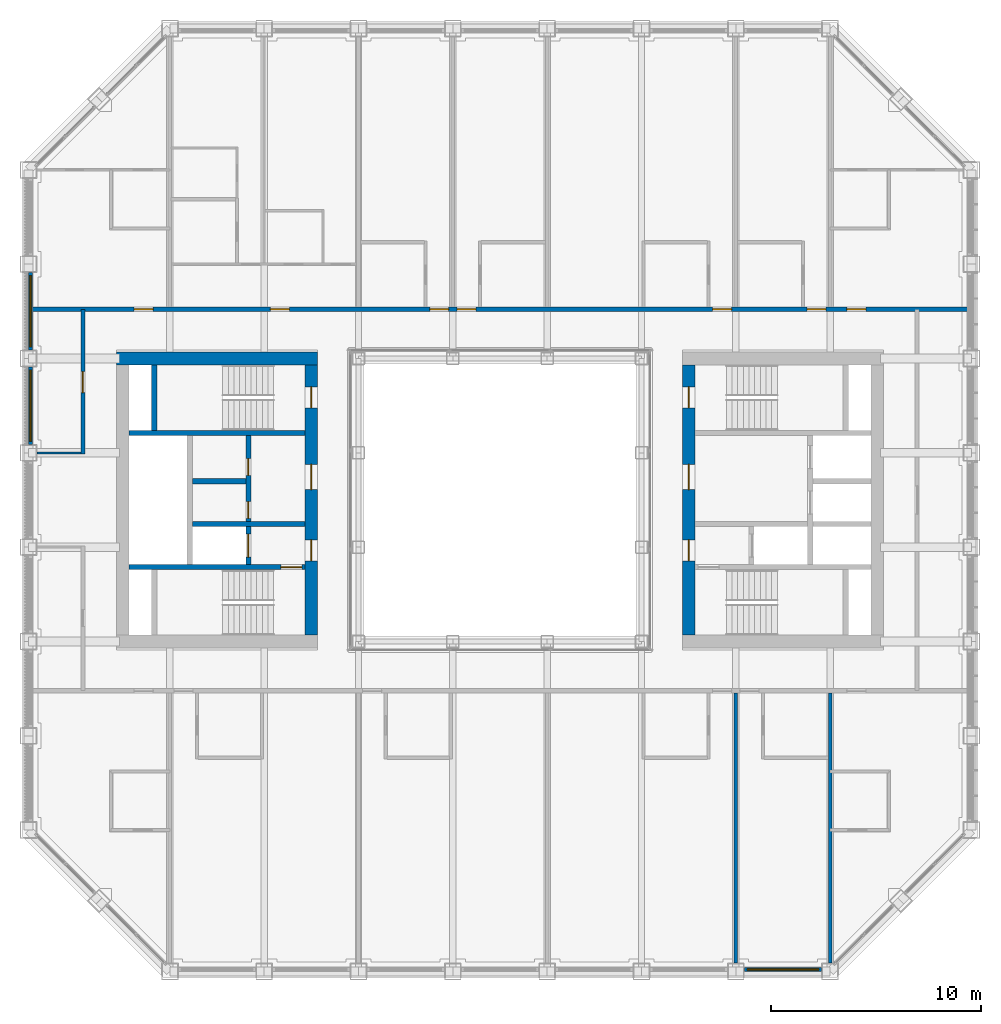
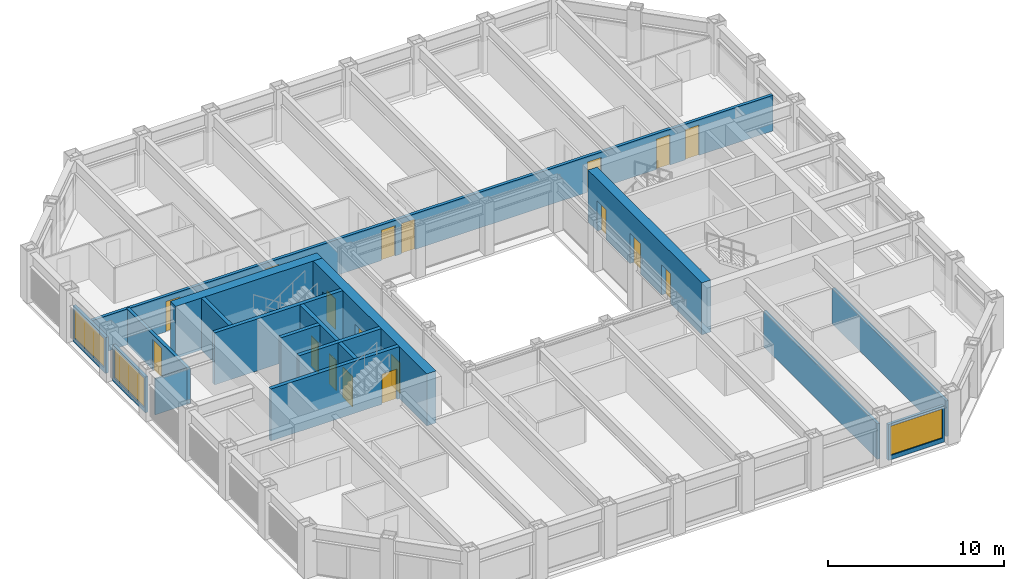
# One storey, part 11 of 17: 18 doors, 17 walls, 3 windows, 21 openings.
"""IFC4 building model written with IfcOpenShell, lengths in metres."""

from ifc_helpers import new_model, si_unit, direction, frame, frame_2d, origin, place, context, subcontext, project, spatial, rectangle, extrude, material, layer, layer_set, type_object, element, fill, save


model = new_model("IFC4")

# Units and contexts
model_context = context("Model", 3, precision=1e-05, world=origin(), true_north=direction((0.0, 1.0)))
body_context = subcontext(model_context, "Body", "Model", "MODEL_VIEW")
ifc_project = project(units=[si_unit("LENGTHUNIT", "METRE"), si_unit("AREAUNIT", "SQUARE_METRE"), si_unit("VOLUMEUNIT", "CUBIC_METRE"), si_unit("PLANEANGLEUNIT", "RADIAN"), si_unit("MASSUNIT", "GRAM", prefix="KILO")], contexts=[model_context])

# Site, building, storey
site_placement = place(None, origin())
site = spatial("IfcSite", under=ifc_project, at=site_placement, CompositionType="ELEMENT")
building_placement = place(site_placement, origin())
building = spatial("IfcBuilding", under=site, at=building_placement, Name="Msasa Ring Tower", CompositionType="ELEMENT")
storey_placement = place(building_placement, frame((0.0, 0.0, 172.39990234375)))
storey = spatial("IfcBuildingStorey", under=building, at=storey_placement, Name="L45", CompositionType="ELEMENT", Elevation=172.39990234375)

# Wall, openings, doors
ifc_material_1 = material(Name="Concrete C60/75", Category="concrete")
ifc_layer_1 = layer(ifc_material_1, 0.60009765625)
ifc_layer_set_1 = layer_set([ifc_layer_1], Name="CW2 CORE WALL 600")
wall_type_1 = type_object("IfcWallType", Name="CW2 CORE WALL 600", PredefinedType="SHEAR", material=ifc_layer_set_1)
wall_1_placement = place(storey_placement, frame((9.0, -6.449951171875, 0.0), z_axis=(0.0, 0.0, 1.0), x_axis=(0.0, 1.0, 0.0)))
wall_1 = element("IfcWall", 1, at=wall_1_placement, inside=storey, type_object=wall_type_1, Name="E core wall W L45", PredefinedType="SHEAR", context=body_context, shape_type="SweptSolid", body=[
    extrude(rectangle(XDim=12.89990234375, YDim=0.60009765625, at=frame_2d((6.449951171875, 0.0))), origin(), (0.0, 0.0, 1.0), 3.60009765625),
])
opening_1_placement = place(wall_1_placement, frame((3.550048828125, 0.0, 0.0)))
opening_1 = element("IfcOpeningElement", 2, at=opening_1_placement, cuts=wall_1, Name="Opening HF-030", PredefinedType="OPENING", context=body_context, shape_type="SweptSolid", body=[
    extrude(rectangle(XDim=1.0, YDim=2.10009765625, at=frame_2d((0.5, 1.050048828125))), frame((0.0, 0.31005859375, 0.0), z_axis=(0.0, -1.0, 0.0), x_axis=(1.0, 0.0, 0.0)), (0.0, 0.0, 1.0), 0.6201171875),
])
opening_2_placement = place(wall_1_placement, frame((6.949951171875, 0.0, 0.0)))
opening_2 = element("IfcOpeningElement", 3, at=opening_2_placement, cuts=wall_1, Name="Opening HF-026", PredefinedType="OPENING", context=body_context, shape_type="SweptSolid", body=[
    extrude(rectangle(XDim=1.199951171875, YDim=2.10009765625, at=frame_2d((0.60009765625, 1.050048828125))), frame((0.0, 0.31005859375, 0.0), z_axis=(0.0, -1.0, 0.0), x_axis=(1.0, 0.0, 0.0)), (0.0, 0.0, 1.0), 0.6201171875),
])
opening_3_placement = place(wall_1_placement, frame((10.85009765625, 0.0, 0.0)))
opening_3 = element("IfcOpeningElement", 4, at=opening_3_placement, cuts=wall_1, Name="Opening HF-023", PredefinedType="OPENING", context=body_context, shape_type="SweptSolid", body=[
    extrude(rectangle(XDim=1.0, YDim=2.10009765625, at=frame_2d((0.5, 1.050048828125))), frame((0.0, 0.31005859375, 0.0), z_axis=(0.0, -1.0, 0.0), x_axis=(1.0, 0.0, 0.0)), (0.0, 0.0, 1.0), 0.6201171875),
])
ifc_material_2 = material(Name="Timber door leaf in a steel frame", Category="steel")
door_type_1 = type_object("IfcDoorType", Name="D4 LOBBY DOOR 1000x2100", OperationType="SINGLE_SWING_LEFT", PredefinedType="DOOR", material=ifc_material_2)
door_1_placement = place(opening_1_placement, origin())
door_1 = element("IfcDoor", 5, at=door_1_placement, inside=storey, type_object=door_type_1, Name="Door L45-EFFL", OperationType="SINGLE_SWING_LEFT", OverallHeight=2.10009765625, OverallWidth=1.0, PredefinedType="DOOR", context=body_context, shape_type="SweptSolid", body=[
    extrude(rectangle(XDim=1.0, YDim=2.10009765625, at=frame_2d((0.5, 1.050048828125))), frame((0.0, 0.02490234375, 0.0), z_axis=(0.0, -1.0, 0.0), x_axis=(1.0, 0.0, 0.0)), (0.0, 0.0, 1.0), 0.050048828125),
])
fill(opening_1, door_1)
ifc_material_3 = material(Name="Timber door leaf in a steel frame", Category="steel")
door_type_2 = type_object("IfcDoorType", Name="D5 WIDE LOBBY DOOR 1200x2100", OperationType="SINGLE_SWING_LEFT", PredefinedType="DOOR", material=ifc_material_3)
door_2_placement = place(opening_2_placement, origin())
door_2 = element("IfcDoor", 6, at=door_2_placement, inside=storey, type_object=door_type_2, Name="Door L45-ELL", OperationType="SINGLE_SWING_RIGHT", OverallHeight=2.10009765625, OverallWidth=1.199951171875, PredefinedType="DOOR", context=body_context, shape_type="SweptSolid", body=[
    extrude(rectangle(XDim=1.199951171875, YDim=2.10009765625, at=frame_2d((0.60009765625, 1.050048828125))), frame((0.0, 0.02490234375, 0.0), z_axis=(0.0, -1.0, 0.0), x_axis=(1.0, 0.0, 0.0)), (0.0, 0.0, 1.0), 0.050048828125),
])
fill(opening_2, door_2)
ifc_material_4 = material(Name="Timber door leaf in a steel frame", Category="steel")
door_type_3 = type_object("IfcDoorType", Name="D6 STAIR DOOR 1000x2100", OperationType="SINGLE_SWING_LEFT", PredefinedType="DOOR", material=ifc_material_4)
door_3_placement = place(opening_3_placement, origin())
door_3 = element("IfcDoor", 7, at=door_3_placement, inside=storey, type_object=door_type_3, Name="Door L45-ESTB", OperationType="SINGLE_SWING_RIGHT", OverallHeight=2.10009765625, OverallWidth=1.0, PredefinedType="DOOR", context=body_context, shape_type="SweptSolid", body=[
    extrude(rectangle(XDim=1.0, YDim=2.10009765625, at=frame_2d((0.5, 1.050048828125))), frame((0.0, 0.02490234375, 0.0), z_axis=(0.0, -1.0, 0.0), x_axis=(1.0, 0.0, 0.0)), (0.0, 0.0, 1.0), 0.050048828125),
])
fill(opening_3, door_3)

# Wall
wall_2_placement = place(storey_placement, frame((-8.699951171875, 6.75, 0.0), z_axis=(0.0, 0.0, 1.0), x_axis=(-1.0, 0.0, 0.0)))
element("IfcWall", 8, at=wall_2_placement, inside=storey, type_object=wall_type_1, Name="W core wall N L45", PredefinedType="SHEAR", context=body_context, shape_type="SweptSolid", body=[
    extrude(rectangle(XDim=9.60009765625, YDim=0.60009765625, at=frame_2d((4.800048828125, 0.0))), origin(), (0.0, 0.0, 1.0), 3.60009765625),
])

# Wall, openings, doors
wall_3_placement = place(storey_placement, frame((-9.0, -6.449951171875, 0.0), z_axis=(0.0, 0.0, 1.0), x_axis=(0.0, 1.0, 0.0)))
wall_3 = element("IfcWall", 9, at=wall_3_placement, inside=storey, type_object=wall_type_1, Name="W core wall W L45", PredefinedType="SHEAR", context=body_context, shape_type="SweptSolid", body=[
    extrude(rectangle(XDim=12.89990234375, YDim=0.60009765625, at=frame_2d((6.449951171875, 0.0))), origin(), (0.0, 0.0, 1.0), 3.60009765625),
])
opening_4_placement = place(wall_3_placement, frame((3.550048828125, 0.0, 0.0)))
opening_4 = element("IfcOpeningElement", 10, at=opening_4_placement, cuts=wall_3, Name="Opening HF-029", PredefinedType="OPENING", context=body_context, shape_type="SweptSolid", body=[
    extrude(rectangle(XDim=1.0, YDim=2.10009765625, at=frame_2d((0.5, 1.050048828125))), frame((0.0, 0.31005859375, 0.0), z_axis=(0.0, -1.0, 0.0), x_axis=(1.0, 0.0, 0.0)), (0.0, 0.0, 1.0), 0.6201171875),
])
opening_5_placement = place(wall_3_placement, frame((6.949951171875, 0.0, 0.0)))
opening_5 = element("IfcOpeningElement", 11, at=opening_5_placement, cuts=wall_3, Name="Opening HF-025", PredefinedType="OPENING", context=body_context, shape_type="SweptSolid", body=[
    extrude(rectangle(XDim=1.199951171875, YDim=2.10009765625, at=frame_2d((0.60009765625, 1.050048828125))), frame((0.0, 0.31005859375, 0.0), z_axis=(0.0, -1.0, 0.0), x_axis=(1.0, 0.0, 0.0)), (0.0, 0.0, 1.0), 0.6201171875),
])
opening_6_placement = place(wall_3_placement, frame((10.85009765625, 0.0, 0.0)))
opening_6 = element("IfcOpeningElement", 12, at=opening_6_placement, cuts=wall_3, Name="Opening HF-022", PredefinedType="OPENING", context=body_context, shape_type="SweptSolid", body=[
    extrude(rectangle(XDim=1.0, YDim=2.10009765625, at=frame_2d((0.5, 1.050048828125))), frame((0.0, 0.31005859375, 0.0), z_axis=(0.0, -1.0, 0.0), x_axis=(1.0, 0.0, 0.0)), (0.0, 0.0, 1.0), 0.6201171875),
])
door_4_placement = place(opening_4_placement, origin())
door_4 = element("IfcDoor", 13, at=door_4_placement, inside=storey, type_object=door_type_1, Name="Door L45-WFFL", OperationType="SINGLE_SWING_LEFT", OverallHeight=2.10009765625, OverallWidth=1.0, PredefinedType="DOOR", context=body_context, shape_type="SweptSolid", body=[
    extrude(rectangle(XDim=1.0, YDim=2.10009765625, at=frame_2d((0.5, 1.050048828125))), frame((0.0, 0.02490234375, 0.0), z_axis=(0.0, -1.0, 0.0), x_axis=(1.0, 0.0, 0.0)), (0.0, 0.0, 1.0), 0.050048828125),
])
fill(opening_4, door_4)
door_5_placement = place(opening_5_placement, origin())
door_5 = element("IfcDoor", 14, at=door_5_placement, inside=storey, type_object=door_type_2, Name="Door L45-WLL", OperationType="SINGLE_SWING_RIGHT", OverallHeight=2.10009765625, OverallWidth=1.199951171875, PredefinedType="DOOR", context=body_context, shape_type="SweptSolid", body=[
    extrude(rectangle(XDim=1.199951171875, YDim=2.10009765625, at=frame_2d((0.60009765625, 1.050048828125))), frame((0.0, 0.02490234375, 0.0), z_axis=(0.0, -1.0, 0.0), x_axis=(1.0, 0.0, 0.0)), (0.0, 0.0, 1.0), 0.050048828125),
])
fill(opening_5, door_5)
door_6_placement = place(opening_6_placement, origin())
door_6 = element("IfcDoor", 15, at=door_6_placement, inside=storey, type_object=door_type_3, Name="Door L45-WSTB", OperationType="SINGLE_SWING_RIGHT", OverallHeight=2.10009765625, OverallWidth=1.0, PredefinedType="DOOR", context=body_context, shape_type="SweptSolid", body=[
    extrude(rectangle(XDim=1.0, YDim=2.10009765625, at=frame_2d((0.5, 1.050048828125))), frame((0.0, 0.02490234375, 0.0), z_axis=(0.0, -1.0, 0.0), x_axis=(1.0, 0.0, 0.0)), (0.0, 0.0, 1.0), 0.050048828125),
])
fill(opening_6, door_6)

# Wall, opening, door
ifc_material_5 = material(Name="Concrete C60/75", Category="concrete")
ifc_layer_2 = layer(ifc_material_5, 0.25)
ifc_layer_set_2 = layer_set([ifc_layer_2], Name="CW4 CORE INNER WALL 250")
wall_type_2 = type_object("IfcWallType", Name="CW4 CORE INNER WALL 250", PredefinedType="SHEAR", material=ifc_layer_set_2)
wall_4_placement = place(storey_placement, frame((-9.300048828125, -3.199951171875, 0.0), z_axis=(0.0, 0.0, 1.0), x_axis=(-1.0, 0.0, 0.0)))
wall_4 = element("IfcWall", 16, at=wall_4_placement, inside=storey, type_object=wall_type_2, Name="W core wall STAIRA L45", PredefinedType="SHEAR", context=body_context, shape_type="SweptSolid", body=[
    extrude(rectangle(XDim=8.39990234375, YDim=0.25, at=frame_2d((4.199951171875, 0.0))), origin(), (0.0, 0.0, 1.0), 3.60009765625),
])
opening_7_placement = place(wall_4_placement, frame((0.14990234375, 0.0, 0.0)))
opening_7 = element("IfcOpeningElement", 17, at=opening_7_placement, cuts=wall_4, Name="Opening HF-031", PredefinedType="OPENING", context=body_context, shape_type="SweptSolid", body=[
    extrude(rectangle(XDim=1.0, YDim=2.10009765625, at=frame_2d((0.5, 1.050048828125))), frame((0.0, 0.135009765625, 0.0), z_axis=(0.0, -1.0, 0.0), x_axis=(1.0, 0.0, 0.0)), (0.0, 0.0, 1.0), 0.27001953125),
])
door_7_placement = place(opening_7_placement, origin())
door_7 = element("IfcDoor", 18, at=door_7_placement, inside=storey, type_object=door_type_3, Name="Door L45-WSTA", OperationType="SINGLE_SWING_LEFT", OverallHeight=2.10009765625, OverallWidth=1.0, PredefinedType="DOOR", context=body_context, shape_type="SweptSolid", body=[
    extrude(rectangle(XDim=1.0, YDim=2.10009765625, at=frame_2d((0.5, 1.050048828125))), frame((0.0, 0.02490234375, 0.0), z_axis=(0.0, -1.0, 0.0), x_axis=(1.0, 0.0, 0.0)), (0.0, 0.0, 1.0), 0.050048828125),
])
fill(opening_7, door_7)

# Walls
wall_5_placement = place(storey_placement, frame((-9.300048828125, 3.199951171875, 0.0), z_axis=(0.0, 0.0, 1.0), x_axis=(-1.0, 0.0, 0.0)))
element("IfcWall", 19, at=wall_5_placement, inside=storey, type_object=wall_type_2, Name="W core wall STAIRB L45", PredefinedType="SHEAR", context=body_context, shape_type="SweptSolid", body=[
    extrude(rectangle(XDim=8.39990234375, YDim=0.25, at=frame_2d((4.199951171875, 0.0))), origin(), (0.0, 0.0, 1.0), 3.60009765625),
])
wall_6_placement = place(storey_placement, frame((-16.5, 3.324951171875, 0.0), z_axis=(0.0, 0.0, 1.0), x_axis=(0.0, 1.0, 0.0)))
element("IfcWall", 20, at=wall_6_placement, inside=storey, type_object=wall_type_2, Name="W core wall RISERB L45", PredefinedType="SHEAR", context=body_context, shape_type="SweptSolid", body=[
    extrude(rectangle(XDim=3.125, YDim=0.25, at=frame_2d((1.5625, 0.0))), origin(), (0.0, 0.0, 1.0), 3.60009765625),
])
wall_7_placement = place(storey_placement, frame((-9.300048828125, -1.14990234375, 0.0), z_axis=(0.0, 0.0, 1.0), x_axis=(-1.0, 0.0, 0.0)))
element("IfcWall", 21, at=wall_7_placement, inside=storey, type_object=wall_type_2, Name="W core wall FFL L45", PredefinedType="SHEAR", context=body_context, shape_type="SweptSolid", body=[
    extrude(rectangle(XDim=5.375, YDim=0.25, at=frame_2d((2.6875, 0.0))), origin(), (0.0, 0.0, 1.0), 3.60009765625),
])

# Wall, openings, doors
wall_8_placement = place(storey_placement, frame((-12.0, -3.074951171875, 0.0), z_axis=(0.0, 0.0, 1.0), x_axis=(0.0, 1.0, 0.0)))
wall_8 = element("IfcWall", 22, at=wall_8_placement, inside=storey, type_object=wall_type_2, Name="W core wall LOBBY L45", PredefinedType="SHEAR", context=body_context, shape_type="SweptSolid", body=[
    extrude(rectangle(XDim=6.14990234375, YDim=0.25, at=frame_2d((3.074951171875, 0.0))), origin(), (0.0, 0.0, 1.0), 3.60009765625),
])
opening_8_placement = place(wall_8_placement, frame((2.199951171875, 0.0, 0.0)))
opening_8 = element("IfcOpeningElement", 23, at=opening_8_placement, cuts=wall_8, Name="Opening HF-028", PredefinedType="OPENING", context=body_context, shape_type="SweptSolid", body=[
    extrude(rectangle(XDim=0.800048828125, YDim=2.10009765625, at=frame_2d((0.39990234375, 1.050048828125))), frame((0.0, 0.135009765625, 0.0), z_axis=(0.0, -1.0, 0.0), x_axis=(1.0, 0.0, 0.0)), (0.0, 0.0, 1.0), 0.27001953125),
])
opening_9_placement = place(wall_8_placement, frame((4.25, 0.0, 0.0)))
opening_9 = element("IfcOpeningElement", 24, at=opening_9_placement, cuts=wall_8, Name="Opening HF-024", PredefinedType="OPENING", context=body_context, shape_type="SweptSolid", body=[
    extrude(rectangle(XDim=0.800048828125, YDim=2.10009765625, at=frame_2d((0.39990234375, 1.050048828125))), frame((0.0, 0.135009765625, 0.0), z_axis=(0.0, -1.0, 0.0), x_axis=(1.0, 0.0, 0.0)), (0.0, 0.0, 1.0), 0.27001953125),
])
opening_10_placement = place(wall_8_placement, frame((0.35009765625, 0.0, 0.0)))
opening_10 = element("IfcOpeningElement", 25, at=opening_10_placement, cuts=wall_8, Name="Opening LD1", PredefinedType="OPENING", context=body_context, shape_type="SweptSolid", body=[
    extrude(rectangle(XDim=1.10009765625, YDim=2.10009765625, at=frame_2d((0.550048828125, 1.050048828125))), frame((0.0, 0.135009765625, 0.0), z_axis=(0.0, -1.0, 0.0), x_axis=(1.0, 0.0, 0.0)), (0.0, 0.0, 1.0), 0.27001953125),
])
ifc_material_6 = material(Name="Timber door leaf in a steel frame", Category="steel")
door_type_4 = type_object("IfcDoorType", Name="D9 NARROW SERVICE DOOR 800x2100", OperationType="SINGLE_SWING_LEFT", PredefinedType="DOOR", material=ifc_material_6)
door_8_placement = place(opening_8_placement, origin())
door_8 = element("IfcDoor", 26, at=door_8_placement, inside=storey, type_object=door_type_4, Name="Door L45-WR1", OperationType="SINGLE_SWING_LEFT", OverallHeight=2.10009765625, OverallWidth=0.800048828125, PredefinedType="DOOR", context=body_context, shape_type="SweptSolid", body=[
    extrude(rectangle(XDim=0.800048828125, YDim=2.10009765625, at=frame_2d((0.39990234375, 1.050048828125))), frame((0.0, 0.02490234375, 0.0), z_axis=(0.0, -1.0, 0.0), x_axis=(1.0, 0.0, 0.0)), (0.0, 0.0, 1.0), 0.050048828125),
])
fill(opening_8, door_8)
door_9_placement = place(opening_9_placement, origin())
door_9 = element("IfcDoor", 27, at=door_9_placement, inside=storey, type_object=door_type_4, Name="Door L45-WR2", OperationType="SINGLE_SWING_RIGHT", OverallHeight=2.10009765625, OverallWidth=0.800048828125, PredefinedType="DOOR", context=body_context, shape_type="SweptSolid", body=[
    extrude(rectangle(XDim=0.800048828125, YDim=2.10009765625, at=frame_2d((0.39990234375, 1.050048828125))), frame((0.0, 0.02490234375, 0.0), z_axis=(0.0, -1.0, 0.0), x_axis=(1.0, 0.0, 0.0)), (0.0, 0.0, 1.0), 0.050048828125),
])
fill(opening_9, door_9)
ifc_material_7 = material(Name="Stainless steel lift landing door", Category="steel")
door_type_5 = type_object("IfcDoorType", Name="LD1 LIFT LANDING DOOR 1100x2100", OperationType="DOUBLE_DOOR_SLIDING", PredefinedType="DOOR", material=ifc_material_7)
door_10_placement = place(opening_10_placement, origin())
door_10 = element("IfcDoor", 28, at=door_10_placement, inside=storey, type_object=door_type_5, Name="Lift landing door FL-W L45", OperationType="DOUBLE_DOOR_SLIDING", OverallHeight=2.10009765625, OverallWidth=1.10009765625, PredefinedType="DOOR", context=body_context, shape_type="SweptSolid", body=[
    extrude(rectangle(XDim=1.10009765625, YDim=2.10009765625, at=frame_2d((0.550048828125, 1.050048828125))), frame((0.0, 0.02490234375, 0.0), z_axis=(0.0, -1.0, 0.0), x_axis=(1.0, 0.0, 0.0)), (0.0, 0.0, 1.0), 0.050048828125),
])
fill(opening_10, door_10)

# Wall
wall_9_placement = place(storey_placement, frame((-12.125, 0.89990234375, 0.0), z_axis=(0.0, 0.0, 1.0), x_axis=(-1.0, 0.0, 0.0)))
element("IfcWall", 29, at=wall_9_placement, inside=storey, type_object=wall_type_2, Name="W core wall LIFT1 L45", PredefinedType="SHEAR", context=body_context, shape_type="SweptSolid", body=[
    extrude(rectangle(XDim=2.550048828125, YDim=0.25, at=frame_2d((1.27490234375, 0.0))), origin(), (0.0, 0.0, 1.0), 3.60009765625),
])

# Wall, opening, window
ifc_material_8 = material(Name="Terracotta rainscreen on blockwork", Category="masonry")
ifc_layer_3 = layer(ifc_material_8, 0.199951171875)
ifc_layer_set_3 = layer_set([ifc_layer_3], Name="FW1 TERRACOTTA-LINED INFILL BAY WALL 200")
wall_type_3 = type_object("IfcWallType", Name="FW1 TERRACOTTA-LINED INFILL BAY WALL 200", PredefinedType="SOLIDWALL", material=ifc_layer_set_3)
wall_10_placement = place(storey_placement, frame((11.655029296875, -22.39990234375, 0.0), z_axis=(0.0, 0.0, 1.0), x_axis=(1.0, 0.0, 0.0)))
wall_10 = element("IfcWall", 30, at=wall_10_placement, inside=storey, type_object=wall_type_3, Name="Infill bay wall S L45 06", PredefinedType="SOLIDWALL", context=body_context, shape_type="SweptSolid", body=[
    extrude(rectangle(XDim=3.68994140625, YDim=0.199951171875, at=frame_2d((1.844970703125, 0.0))), origin(), (0.0, 0.0, 1.0), 2.47900390625),
])
opening_11_placement = place(wall_10_placement, frame((0.14501953125, 0.0, 0.300048828125)))
opening_11 = element("IfcOpeningElement", 31, at=opening_11_placement, cuts=wall_10, Name="Opening WN2", PredefinedType="OPENING", context=body_context, shape_type="SweptSolid", body=[
    extrude(rectangle(XDim=3.39990234375, YDim=2.029052734375, at=frame_2d((1.699951171875, 1.0146484375))), frame((0.0, 0.10986328125, 0.0), z_axis=(0.0, -1.0, 0.0), x_axis=(1.0, 0.0, 0.0)), (0.0, 0.0, 1.0), 0.219970703125),
])
ifc_material_9 = material(Name="Aluminium frame with clear glass", Category="aluminium")
window_type = type_object("IfcWindowType", Name="WN2 GUEST ROOM WINDOW 3400x2029", PartitioningType="SINGLE_PANEL", PredefinedType="WINDOW", material=ifc_material_9)
window_1_placement = place(opening_11_placement, origin())
window_1 = element("IfcWindow", 32, at=window_1_placement, inside=storey, type_object=window_type, Name="Window S L45 06", OverallHeight=2.029052734375, OverallWidth=3.39990234375, PartitioningType="SINGLE_PANEL", PredefinedType="WINDOW", context=body_context, shape_type="SweptSolid", body=[
    extrude(rectangle(XDim=3.39990234375, YDim=2.029052734375, at=frame_2d((1.699951171875, 1.0146484375))), frame((0.0, 0.030029296875, 0.0), z_axis=(0.0, -1.0, 0.0), x_axis=(1.0, 0.0, 0.0)), (0.0, 0.0, 1.0), 0.06005859375),
])
fill(opening_11, window_1)

wall_11_placement = place(storey_placement, frame((-22.39990234375, 2.655029296875, 0.0), z_axis=(0.0, 0.0, 1.0), x_axis=(0.0, 1.0, 0.0)))
wall_11 = element("IfcWall", 33, at=wall_11_placement, inside=storey, type_object=wall_type_3, Name="Infill bay wall W L45 31", PredefinedType="SOLIDWALL", context=body_context, shape_type="SweptSolid", body=[
    extrude(rectangle(XDim=3.68994140625, YDim=0.199951171875, at=frame_2d((1.844970703125, 0.0))), origin(), (0.0, 0.0, 1.0), 2.47900390625),
])
opening_12_placement = place(wall_11_placement, frame((0.14501953125, 0.0, 0.300048828125)))
opening_12 = element("IfcOpeningElement", 34, at=opening_12_placement, cuts=wall_11, Name="Opening WN2", PredefinedType="OPENING", context=body_context, shape_type="SweptSolid", body=[
    extrude(rectangle(XDim=3.39990234375, YDim=2.029052734375, at=frame_2d((1.699951171875, 1.0146484375))), frame((0.0, 0.10986328125, 0.0), z_axis=(0.0, -1.0, 0.0), x_axis=(1.0, 0.0, 0.0)), (0.0, 0.0, 1.0), 0.219970703125),
])
window_2_placement = place(opening_12_placement, origin())
window_2 = element("IfcWindow", 35, at=window_2_placement, inside=storey, type_object=window_type, Name="Window W L45 31", OverallHeight=2.029052734375, OverallWidth=3.39990234375, PartitioningType="SINGLE_PANEL", PredefinedType="WINDOW", context=body_context, shape_type="SweptSolid", body=[
    extrude(rectangle(XDim=3.39990234375, YDim=2.029052734375, at=frame_2d((1.699951171875, 1.0146484375))), frame((0.0, 0.030029296875, 0.0), z_axis=(0.0, -1.0, 0.0), x_axis=(1.0, 0.0, 0.0)), (0.0, 0.0, 1.0), 0.06005859375),
])
fill(opening_12, window_2)

wall_12_placement = place(storey_placement, frame((-22.39990234375, 7.155029296875, 0.0), z_axis=(0.0, 0.0, 1.0), x_axis=(0.0, 1.0, 0.0)))
wall_12 = element("IfcWall", 36, at=wall_12_placement, inside=storey, type_object=wall_type_3, Name="Infill bay wall W L45 32", PredefinedType="SOLIDWALL", context=body_context, shape_type="SweptSolid", body=[
    extrude(rectangle(XDim=3.68994140625, YDim=0.199951171875, at=frame_2d((1.844970703125, 0.0))), origin(), (0.0, 0.0, 1.0), 2.47900390625),
])
opening_13_placement = place(wall_12_placement, frame((0.14501953125, 0.0, 0.300048828125)))
opening_13 = element("IfcOpeningElement", 37, at=opening_13_placement, cuts=wall_12, Name="Opening WN2", PredefinedType="OPENING", context=body_context, shape_type="SweptSolid", body=[
    extrude(rectangle(XDim=3.39990234375, YDim=2.029052734375, at=frame_2d((1.699951171875, 1.0146484375))), frame((0.0, 0.10986328125, 0.0), z_axis=(0.0, -1.0, 0.0), x_axis=(1.0, 0.0, 0.0)), (0.0, 0.0, 1.0), 0.219970703125),
])
window_3_placement = place(opening_13_placement, origin())
window_3 = element("IfcWindow", 38, at=window_3_placement, inside=storey, type_object=window_type, Name="Window W L45 32", OverallHeight=2.029052734375, OverallWidth=3.39990234375, PartitioningType="SINGLE_PANEL", PredefinedType="WINDOW", context=body_context, shape_type="SweptSolid", body=[
    extrude(rectangle(XDim=3.39990234375, YDim=2.029052734375, at=frame_2d((1.699951171875, 1.0146484375))), frame((0.0, 0.030029296875, 0.0), z_axis=(0.0, -1.0, 0.0), x_axis=(1.0, 0.0, 0.0)), (0.0, 0.0, 1.0), 0.06005859375),
])
fill(opening_13, window_3)

# Wall, openings, doors
ifc_material_10 = material(Name="Concrete blockwork", Category="masonry")
ifc_layer_4 = layer(ifc_material_10, 0.199951171875)
ifc_layer_set_4 = layer_set([ifc_layer_4], Name="PT1 CORRIDOR WALL 200")
wall_type_4 = type_object("IfcWallType", Name="PT1 CORRIDOR WALL 200", PredefinedType="PARTITIONING", material=ifc_layer_set_4)
wall_13_placement = place(storey_placement, frame((-22.300048828125, 9.10009765625, 0.0), z_axis=(0.0, 0.0, 1.0), x_axis=(1.0, 0.0, 0.0)))
wall_13 = element("IfcWall", 39, at=wall_13_placement, inside=storey, type_object=wall_type_4, Name="Corridor wall L45-CORRN0", PredefinedType="PARTITIONING", context=body_context, shape_type="SweptSolid", body=[
    extrude(rectangle(XDim=44.60009765625, YDim=0.199951171875, at=frame_2d((22.300048828125, 0.0))), origin(), (0.0, 0.0, 1.0), 2.473388671875),
])
opening_14_placement = place(wall_13_placement, frame((11.35009765625, 0.0, 0.0)))
opening_14 = element("IfcOpeningElement", 40, at=opening_14_placement, cuts=wall_13, Name="Opening HF-015", PredefinedType="OPENING", context=body_context, shape_type="SweptSolid", body=[
    extrude(rectangle(XDim=0.89990234375, YDim=2.10009765625, at=frame_2d((0.449951171875, 1.050048828125))), frame((0.0, 0.10986328125, 0.0), z_axis=(0.0, -1.0, 0.0), x_axis=(1.0, 0.0, 0.0)), (0.0, 0.0, 1.0), 0.219970703125),
])
opening_15_placement = place(wall_13_placement, frame((18.949951171875, 0.0, 0.0)))
opening_15 = element("IfcOpeningElement", 41, at=opening_15_placement, cuts=wall_13, Name="Opening HF-016", PredefinedType="OPENING", context=body_context, shape_type="SweptSolid", body=[
    extrude(rectangle(XDim=0.89990234375, YDim=2.10009765625, at=frame_2d((0.449951171875, 1.050048828125))), frame((0.0, 0.10986328125, 0.0), z_axis=(0.0, -1.0, 0.0), x_axis=(1.0, 0.0, 0.0)), (0.0, 0.0, 1.0), 0.219970703125),
])
opening_16_placement = place(wall_13_placement, frame((20.25, 0.0, 0.0)))
opening_16 = element("IfcOpeningElement", 42, at=opening_16_placement, cuts=wall_13, Name="Opening HF-017", PredefinedType="OPENING", context=body_context, shape_type="SweptSolid", body=[
    extrude(rectangle(XDim=0.89990234375, YDim=2.10009765625, at=frame_2d((0.449951171875, 1.050048828125))), frame((0.0, 0.10986328125, 0.0), z_axis=(0.0, -1.0, 0.0), x_axis=(1.0, 0.0, 0.0)), (0.0, 0.0, 1.0), 0.219970703125),
])
opening_17_placement = place(wall_13_placement, frame((32.449951171875, 0.0, 0.0)))
opening_17 = element("IfcOpeningElement", 43, at=opening_17_placement, cuts=wall_13, Name="Opening HF-018", PredefinedType="OPENING", context=body_context, shape_type="SweptSolid", body=[
    extrude(rectangle(XDim=0.89990234375, YDim=2.10009765625, at=frame_2d((0.449951171875, 1.050048828125))), frame((0.0, 0.10986328125, 0.0), z_axis=(0.0, -1.0, 0.0), x_axis=(1.0, 0.0, 0.0)), (0.0, 0.0, 1.0), 0.219970703125),
])
opening_18_placement = place(wall_13_placement, frame((36.949951171875, 0.0, 0.0)))
opening_18 = element("IfcOpeningElement", 44, at=opening_18_placement, cuts=wall_13, Name="Opening HF-019", PredefinedType="OPENING", context=body_context, shape_type="SweptSolid", body=[
    extrude(rectangle(XDim=0.89990234375, YDim=2.10009765625, at=frame_2d((0.449951171875, 1.050048828125))), frame((0.0, 0.10986328125, 0.0), z_axis=(0.0, -1.0, 0.0), x_axis=(1.0, 0.0, 0.0)), (0.0, 0.0, 1.0), 0.219970703125),
])
opening_19_placement = place(wall_13_placement, frame((38.85009765625, 0.0, 0.0)))
opening_19 = element("IfcOpeningElement", 45, at=opening_19_placement, cuts=wall_13, Name="Opening HF-020", PredefinedType="OPENING", context=body_context, shape_type="SweptSolid", body=[
    extrude(rectangle(XDim=0.89990234375, YDim=2.10009765625, at=frame_2d((0.449951171875, 1.050048828125))), frame((0.0, 0.10986328125, 0.0), z_axis=(0.0, -1.0, 0.0), x_axis=(1.0, 0.0, 0.0)), (0.0, 0.0, 1.0), 0.219970703125),
])
opening_20_placement = place(wall_13_placement, frame((4.85009765625, 0.0, 0.0)))
opening_20 = element("IfcOpeningElement", 46, at=opening_20_placement, cuts=wall_13, Name="Opening HF-014", PredefinedType="OPENING", context=body_context, shape_type="SweptSolid", body=[
    extrude(rectangle(XDim=0.89990234375, YDim=2.10009765625, at=frame_2d((0.449951171875, 1.050048828125))), frame((0.0, 0.10986328125, 0.0), z_axis=(0.0, -1.0, 0.0), x_axis=(1.0, 0.0, 0.0)), (0.0, 0.0, 1.0), 0.219970703125),
])
ifc_material_11 = material(Name="Timber door leaf in a steel frame", Category="steel")
door_type_6 = type_object("IfcDoorType", Name="D1 SINGLE DOOR TO CORRIDOR 900x2100", OperationType="SINGLE_SWING_LEFT", PredefinedType="DOOR", material=ifc_material_11)
door_11_placement = place(opening_15_placement, origin())
door_11 = element("IfcDoor", 47, at=door_11_placement, inside=storey, type_object=door_type_6, Name="Door L45-GN01", OperationType="SINGLE_SWING_LEFT", OverallHeight=2.10009765625, OverallWidth=0.89990234375, PredefinedType="DOOR", context=body_context, shape_type="SweptSolid", body=[
    extrude(rectangle(XDim=0.89990234375, YDim=2.10009765625, at=frame_2d((0.449951171875, 1.050048828125))), frame((0.0, 0.02490234375, 0.0), z_axis=(0.0, -1.0, 0.0), x_axis=(1.0, 0.0, 0.0)), (0.0, 0.0, 1.0), 0.050048828125),
])
fill(opening_15, door_11)
door_12_placement = place(opening_16_placement, origin())
door_12 = element("IfcDoor", 48, at=door_12_placement, inside=storey, type_object=door_type_6, Name="Door L45-GN02", OperationType="SINGLE_SWING_LEFT", OverallHeight=2.10009765625, OverallWidth=0.89990234375, PredefinedType="DOOR", context=body_context, shape_type="SweptSolid", body=[
    extrude(rectangle(XDim=0.89990234375, YDim=2.10009765625, at=frame_2d((0.449951171875, 1.050048828125))), frame((0.0, 0.02490234375, 0.0), z_axis=(0.0, -1.0, 0.0), x_axis=(1.0, 0.0, 0.0)), (0.0, 0.0, 1.0), 0.050048828125),
])
fill(opening_16, door_12)
door_13_placement = place(opening_17_placement, origin())
door_13 = element("IfcDoor", 49, at=door_13_placement, inside=storey, type_object=door_type_6, Name="Door L45-GN03", OperationType="SINGLE_SWING_RIGHT", OverallHeight=2.10009765625, OverallWidth=0.89990234375, PredefinedType="DOOR", context=body_context, shape_type="SweptSolid", body=[
    extrude(rectangle(XDim=0.89990234375, YDim=2.10009765625, at=frame_2d((0.449951171875, 1.050048828125))), frame((0.0, 0.02490234375, 0.0), z_axis=(0.0, -1.0, 0.0), x_axis=(1.0, 0.0, 0.0)), (0.0, 0.0, 1.0), 0.050048828125),
])
fill(opening_17, door_13)
door_14_placement = place(opening_18_placement, origin())
door_14 = element("IfcDoor", 50, at=door_14_placement, inside=storey, type_object=door_type_6, Name="Door L45-GN04", OperationType="SINGLE_SWING_RIGHT", OverallHeight=2.10009765625, OverallWidth=0.89990234375, PredefinedType="DOOR", context=body_context, shape_type="SweptSolid", body=[
    extrude(rectangle(XDim=0.89990234375, YDim=2.10009765625, at=frame_2d((0.449951171875, 1.050048828125))), frame((0.0, 0.02490234375, 0.0), z_axis=(0.0, -1.0, 0.0), x_axis=(1.0, 0.0, 0.0)), (0.0, 0.0, 1.0), 0.050048828125),
])
fill(opening_18, door_14)
ifc_material_12 = material(Name="Timber door leaf in a steel frame", Category="steel")
door_type_7 = type_object("IfcDoorType", Name="D2 ENTRANCE DOOR 900x2100", OperationType="SINGLE_SWING_LEFT", PredefinedType="DOOR", material=ifc_material_12)
door_15_placement = place(opening_14_placement, origin())
door_15 = element("IfcDoor", 51, at=door_15_placement, inside=storey, type_object=door_type_7, Name="Door L45-GN00", OperationType="SINGLE_SWING_LEFT", OverallHeight=2.10009765625, OverallWidth=0.89990234375, PredefinedType="DOOR", context=body_context, shape_type="SweptSolid", body=[
    extrude(rectangle(XDim=0.89990234375, YDim=2.10009765625, at=frame_2d((0.449951171875, 1.050048828125))), frame((0.0, 0.02490234375, 0.0), z_axis=(0.0, -1.0, 0.0), x_axis=(1.0, 0.0, 0.0)), (0.0, 0.0, 1.0), 0.050048828125),
])
fill(opening_14, door_15)
door_16_placement = place(opening_19_placement, origin())
door_16 = element("IfcDoor", 52, at=door_16_placement, inside=storey, type_object=door_type_7, Name="Door L45-CSNE", OperationType="SINGLE_SWING_RIGHT", OverallHeight=2.10009765625, OverallWidth=0.89990234375, PredefinedType="DOOR", context=body_context, shape_type="SweptSolid", body=[
    extrude(rectangle(XDim=0.89990234375, YDim=2.10009765625, at=frame_2d((0.449951171875, 1.050048828125))), frame((0.0, 0.02490234375, 0.0), z_axis=(0.0, -1.0, 0.0), x_axis=(1.0, 0.0, 0.0)), (0.0, 0.0, 1.0), 0.050048828125),
])
fill(opening_19, door_16)
door_17_placement = place(opening_20_placement, origin())
door_17 = element("IfcDoor", 53, at=door_17_placement, inside=storey, type_object=door_type_7, Name="Door L45-CSNW", OperationType="SINGLE_SWING_LEFT", OverallHeight=2.10009765625, OverallWidth=0.89990234375, PredefinedType="DOOR", context=body_context, shape_type="SweptSolid", body=[
    extrude(rectangle(XDim=0.89990234375, YDim=2.10009765625, at=frame_2d((0.449951171875, 1.050048828125))), frame((0.0, 0.02490234375, 0.0), z_axis=(0.0, -1.0, 0.0), x_axis=(1.0, 0.0, 0.0)), (0.0, 0.0, 1.0), 0.050048828125),
])
fill(opening_20, door_17)

# Wall, opening, door
wall_14_placement = place(storey_placement, frame((-19.89990234375, 2.199951171875, 0.0), z_axis=(0.0, 0.0, 1.0), x_axis=(0.0, 1.0, 0.0)))
wall_14 = element("IfcWall", 54, at=wall_14_placement, inside=storey, type_object=wall_type_4, Name="Corridor wall L45-STRWN", PredefinedType="PARTITIONING", context=body_context, shape_type="SweptSolid", body=[
    extrude(rectangle(XDim=6.900146484375, YDim=0.199951171875, at=frame_2d((3.4501953125, 0.0))), origin(), (0.0, 0.0, 1.0), 2.473388671875),
])
opening_21_placement = place(wall_14_placement, frame((2.925048828125, 0.0, 0.0)))
opening_21 = element("IfcOpeningElement", 55, at=opening_21_placement, cuts=wall_14, Name="Opening HF-021", PredefinedType="OPENING", context=body_context, shape_type="SweptSolid", body=[
    extrude(rectangle(XDim=1.0, YDim=2.10009765625, at=frame_2d((0.5, 1.050048828125))), frame((0.0, 0.10986328125, 0.0), z_axis=(0.0, -1.0, 0.0), x_axis=(1.0, 0.0, 0.0)), (0.0, 0.0, 1.0), 0.219970703125),
])
ifc_material_13 = material(Name="Timber door leaf in a steel frame", Category="steel")
door_type_8 = type_object("IfcDoorType", Name="D10 STORE DOOR 1000x2100", OperationType="SINGLE_SWING_LEFT", PredefinedType="DOOR", material=ifc_material_13)
door_18_placement = place(opening_21_placement, origin())
door_18 = element("IfcDoor", 56, at=door_18_placement, inside=storey, type_object=door_type_8, Name="Door L45-LGW", OperationType="SINGLE_SWING_LEFT", OverallHeight=2.10009765625, OverallWidth=1.0, PredefinedType="DOOR", context=body_context, shape_type="SweptSolid", body=[
    extrude(rectangle(XDim=1.0, YDim=2.10009765625, at=frame_2d((0.5, 1.050048828125))), frame((0.0, 0.02490234375, 0.0), z_axis=(0.0, -1.0, 0.0), x_axis=(1.0, 0.0, 0.0)), (0.0, 0.0, 1.0), 0.050048828125),
])
fill(opening_21, door_18)

# Walls
ifc_material_14 = material(Name="Gypsum board on steel studs", Category="steel")
ifc_layer_5 = layer(ifc_material_14, 0.10009765625)
ifc_layer_set_5 = layer_set([ifc_layer_5], Name="PT2 STUD PARTITION 100")
wall_type_5 = type_object("IfcWallType", Name="PT2 STUD PARTITION 100", PredefinedType="PARTITIONING", material=ifc_layer_set_5)
wall_15_placement = place(storey_placement, frame((-22.10009765625, 2.25, 0.0), z_axis=(0.0, 0.0, 1.0), x_axis=(1.0, 0.0, 0.0)))
element("IfcWall", 57, at=wall_15_placement, inside=storey, type_object=wall_type_5, Name="Partition L45-ALWN", PredefinedType="PARTITIONING", context=body_context, shape_type="SweptSolid", body=[
    extrude(rectangle(XDim=2.10009765625, YDim=0.10009765625, at=frame_2d((1.050048828125, 0.0))), origin(), (0.0, 0.0, 1.0), 2.473388671875),
])
ifc_material_15 = material(Name="Twin steel studs, two layers of acoustic board each face, mineral wool", Category="steel")
ifc_layer_6 = layer(ifc_material_15, 0.175048828125)
ifc_layer_set_6 = layer_set([ifc_layer_6], Name="PT5 GUEST ROOM SEPARATING WALL 175")
wall_type_6 = type_object("IfcWallType", Name="PT5 GUEST ROOM SEPARATING WALL 175", PredefinedType="PARTITIONING", material=ifc_layer_set_6)
for number, where, z_axis, x_axis, name in (
    (58, (11.25, -22.10009765625, 0.0), (0.0, 0.0, 1.0), (0.0, 1.0, 0.0), "Partition L45-PWS+11.25"),
    (59, (15.75, -22.10009765625, 0.0), (0.0, 0.0, 1.0), (0.0, 1.0, 0.0), "Partition L45-PWS+15.75"),
):
    element("IfcWall", number, at=place(storey_placement, frame(where, z_axis=z_axis, x_axis=x_axis)), inside=storey, type_object=wall_type_6, Name=name, PredefinedType="PARTITIONING", context=body_context, shape_type="SweptSolid", body=[
        extrude(rectangle(XDim=12.900146484375, YDim=0.175048828125, at=frame_2d((6.4501953125, 0.0))), origin(), (0.0, 0.0, 1.0), 2.473388671875),
    ])

save(model, "model.ifc")
